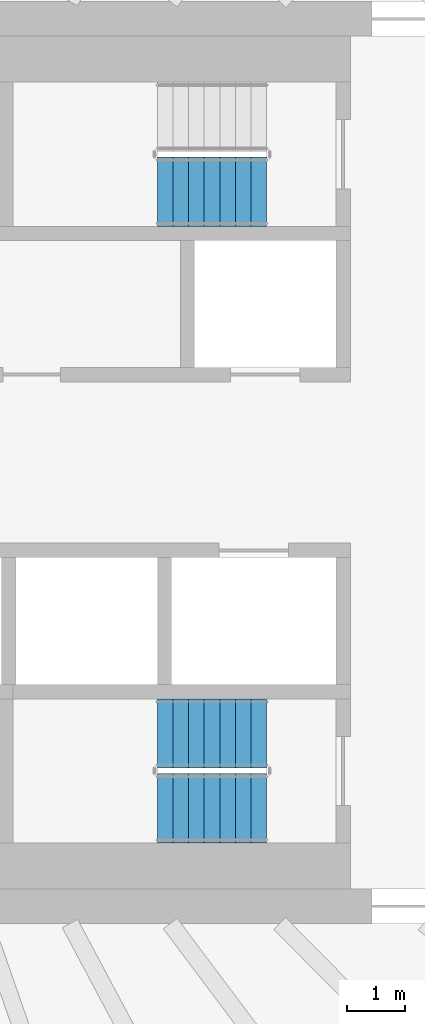
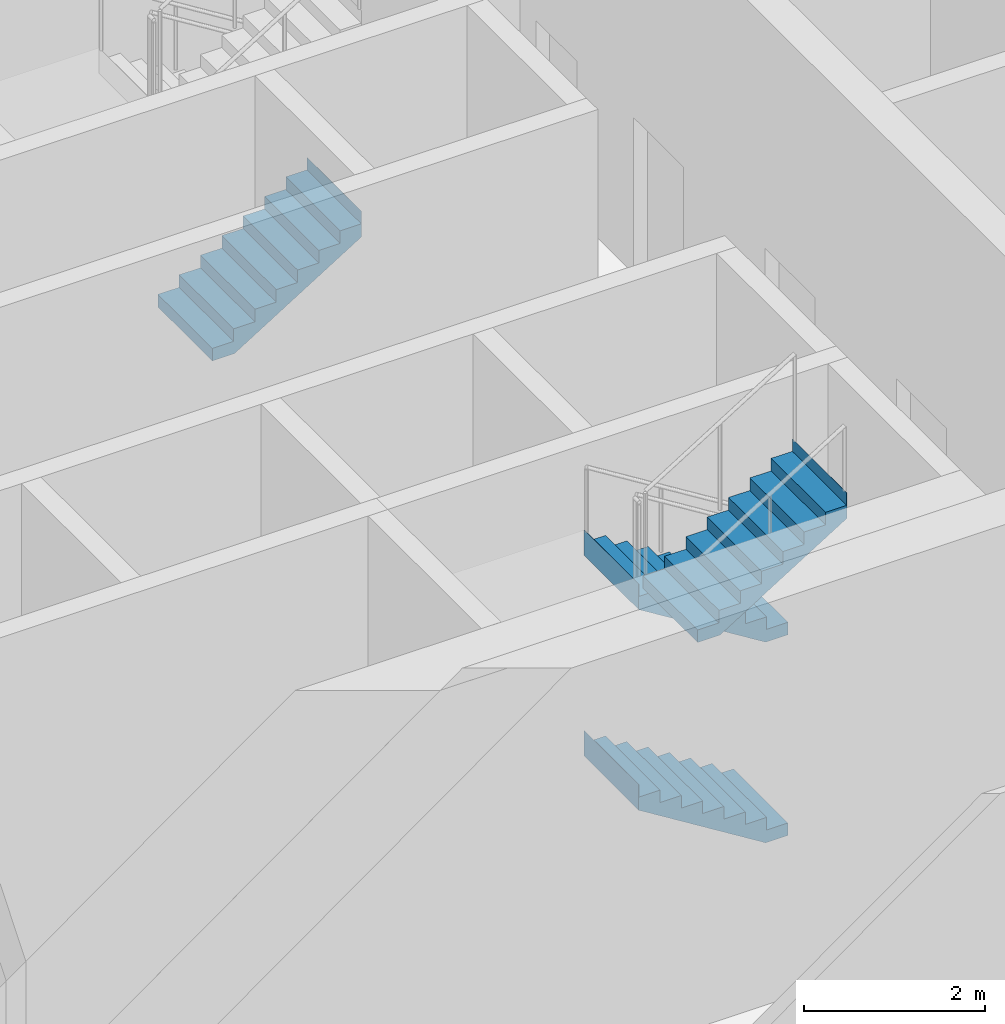
# One storey, part 34 of 42: 4 stair flights, 2 elements without a shape of their own.
"""IFC4 building model written with IfcOpenShell, lengths in metres."""

from ifc_helpers import new_model, si_unit, direction, frame, origin, place, context, subcontext, project, spatial, triangles, material, type_object, element, aggregate, save


model = new_model("IFC4")

# Units and contexts
model_context = context("Model", 3, precision=1e-05, world=origin(), true_north=direction((0.0, 1.0)))
body_context = subcontext(model_context, "Body", "Model", "MODEL_VIEW")
ifc_project = project(units=[si_unit("LENGTHUNIT", "METRE"), si_unit("AREAUNIT", "SQUARE_METRE"), si_unit("VOLUMEUNIT", "CUBIC_METRE"), si_unit("PLANEANGLEUNIT", "RADIAN"), si_unit("MASSUNIT", "GRAM", prefix="KILO")], contexts=[model_context])

# Site, building, storey
site_placement = place(None, origin())
site = spatial("IfcSite", under=ifc_project, at=site_placement, CompositionType="ELEMENT")
building_placement = place(site_placement, origin())
building = spatial("IfcBuilding", under=site, at=building_placement, Name="Sahrelin Media Tower", CompositionType="ELEMENT")
storey_placement = place(building_placement, frame((0.0, 0.0, 26.0)))
storey = spatial("IfcBuildingStorey", under=building, at=storey_placement, Name="L03", CompositionType="ELEMENT", Elevation=26.0)

# Stair, stair flight
ifc_material = material(Name="Concrete C40/50", Category="concrete")
stair_type = type_object("IfcStairType", Name="Exit stair 1200", PredefinedType="HALF_TURN_STAIR", material=ifc_material)
placement = place(storey_placement, origin())
stair_1 = element("IfcStair", 1, at=placement, inside=storey, type_object=stair_type, Name="L03 Exit stair ST3", PredefinedType="HALF_TURN_STAIR")
stair_flight_type = type_object("IfcStairFlightType", Name="Stair flight 1200", PredefinedType="STRAIGHT", material=ifc_material)
stair_flight_1_placement = place(storey_placement, frame((5.77490234375, 4.699951171875, 1.35009765625), z_axis=(0.0, 0.0, 1.0), x_axis=(1.0, 0.0, 0.0)))
stair_flight_1 = element("IfcStairFlight", 2, at=stair_flight_1_placement, type_object=stair_flight_type, Name="ST3 flight 2", NumberOfRisers=8, NumberOfTreads=7, PredefinedType="STRAIGHT", RiserHeight=0.16875, TreadLength=0.271428571, context=body_context, shape_type="Tessellation", body=[
    triangles([(0.283935546875, 0.60009765625, 0.0), (0.283935546875, 0.300048828125, 0.0), (0.283935546875, 0.0, 0.0), (0.283935546875, -0.300048828125, 0.0), (0.283935546875, -0.60009765625, 0.0), (1.89990234375, 0.60009765625, 1.004638671875), (1.89990234375, 0.300048828125, 1.004638671875), (1.89990234375, 0.0, 1.004638671875), (1.89990234375, -0.300048828125, 1.004638671875), (1.89990234375, -0.60009765625, 1.004638671875), (1.89990234375, 0.60009765625, 1.35009765625), (1.89990234375, 0.300048828125, 1.35009765625), (1.89990234375, 0.0, 1.35009765625), (1.89990234375, -0.300048828125, 1.35009765625), (1.89990234375, -0.60009765625, 1.35009765625), (1.89794921875, 0.60009765625, 1.35009765625), (1.89794921875, 0.300048828125, 1.35009765625), (1.89794921875, 0.0, 1.35009765625), (1.89794921875, -0.300048828125, 1.35009765625), (1.89794921875, -0.60009765625, 1.35009765625), (1.89794921875, 0.60009765625, 1.18115234375), (1.89794921875, 0.300048828125, 1.18115234375), (1.89794921875, 0.0, 1.18115234375), (1.89794921875, -0.300048828125, 1.18115234375), (1.89794921875, -0.60009765625, 1.18115234375), (1.628662109375, 0.60009765625, 1.18115234375), (1.628662109375, 0.300048828125, 1.18115234375), (1.628662109375, 0.0, 1.18115234375), (1.628662109375, -0.300048828125, 1.18115234375), (1.628662109375, -0.60009765625, 1.18115234375), (1.628662109375, 0.60009765625, 1.012451171875), (1.628662109375, 0.300048828125, 1.012451171875), (1.628662109375, 0.0, 1.012451171875), (1.628662109375, -0.300048828125, 1.012451171875), (1.628662109375, -0.60009765625, 1.012451171875), (1.357177734375, 0.60009765625, 1.012451171875), (1.357177734375, 0.300048828125, 1.012451171875), (1.357177734375, 0.0, 1.012451171875), (1.357177734375, -0.300048828125, 1.012451171875), (1.357177734375, -0.60009765625, 1.012451171875), (1.357177734375, 0.60009765625, 0.84375), (1.357177734375, 0.300048828125, 0.84375), (1.357177734375, 0.0, 0.84375), (1.357177734375, -0.300048828125, 0.84375), (1.357177734375, -0.60009765625, 0.84375), (1.085693359375, 0.60009765625, 0.84375), (1.085693359375, 0.300048828125, 0.84375), (1.085693359375, 0.0, 0.84375), (1.085693359375, -0.300048828125, 0.84375), (1.085693359375, -0.60009765625, 0.84375), (1.085693359375, 0.60009765625, 0.675048828125), (1.085693359375, 0.300048828125, 0.675048828125), (1.085693359375, 0.0, 0.675048828125), (1.085693359375, -0.300048828125, 0.675048828125), (1.085693359375, -0.60009765625, 0.675048828125), (0.814208984375, 0.60009765625, 0.675048828125), (0.814208984375, 0.300048828125, 0.675048828125), (0.814208984375, 0.0, 0.675048828125), (0.814208984375, -0.300048828125, 0.675048828125), (0.814208984375, -0.60009765625, 0.675048828125), (0.814208984375, 0.60009765625, 0.50634765625), (0.814208984375, 0.300048828125, 0.50634765625), (0.814208984375, 0.0, 0.50634765625), (0.814208984375, -0.300048828125, 0.50634765625), (0.814208984375, -0.60009765625, 0.50634765625), (0.54296875, 0.60009765625, 0.50634765625), (0.54296875, 0.300048828125, 0.50634765625), (0.54296875, 0.0, 0.50634765625), (0.54296875, -0.300048828125, 0.50634765625), (0.54296875, -0.60009765625, 0.50634765625), (0.54296875, 0.60009765625, 0.33740234375), (0.54296875, 0.300048828125, 0.33740234375), (0.54296875, 0.0, 0.33740234375), (0.54296875, -0.300048828125, 0.33740234375), (0.54296875, -0.60009765625, 0.33740234375), (0.271484375, 0.60009765625, 0.33740234375), (0.271484375, 0.300048828125, 0.33740234375), (0.271484375, 0.0, 0.33740234375), (0.271484375, -0.300048828125, 0.33740234375), (0.271484375, -0.60009765625, 0.33740234375), (0.271484375, 0.60009765625, 0.168701171875), (0.271484375, 0.300048828125, 0.168701171875), (0.271484375, 0.0, 0.168701171875), (0.271484375, -0.300048828125, 0.168701171875), (0.271484375, -0.60009765625, 0.168701171875), (0.0, 0.60009765625, 0.168701171875), (0.0, 0.300048828125, 0.168701171875), (0.0, 0.0, 0.168701171875), (0.0, -0.300048828125, 0.168701171875), (0.0, -0.60009765625, 0.168701171875), (0.0, 0.60009765625, 0.0), (0.0, 0.300048828125, 0.0), (0.0, 0.0, 0.0), (0.0, -0.300048828125, 0.0), (0.0, -0.60009765625, 0.0)], [[1, 6, 7], [1, 7, 2], [2, 7, 8], [2, 8, 3], [3, 8, 9], [3, 9, 4], [4, 9, 10], [4, 10, 5], [6, 11, 12], [6, 12, 7], [7, 12, 13], [7, 13, 8], [8, 13, 14], [8, 14, 9], [9, 14, 15], [9, 15, 10], [11, 16, 17], [11, 17, 12], [12, 17, 18], [12, 18, 13], [13, 18, 19], [13, 19, 14], [14, 19, 20], [14, 20, 15], [16, 21, 22], [16, 22, 17], [17, 22, 23], [17, 23, 18], [18, 23, 24], [18, 24, 19], [19, 24, 25], [19, 25, 20], [21, 26, 27], [21, 27, 22], [22, 27, 28], [22, 28, 23], [23, 28, 29], [23, 29, 24], [24, 29, 30], [24, 30, 25], [26, 31, 32], [26, 32, 27], [27, 32, 33], [27, 33, 28], [28, 33, 34], [28, 34, 29], [29, 34, 35], [29, 35, 30], [31, 36, 37], [31, 37, 32], [32, 37, 38], [32, 38, 33], [33, 38, 39], [33, 39, 34], [34, 39, 40], [34, 40, 35], [36, 41, 42], [36, 42, 37], [37, 42, 43], [37, 43, 38], [38, 43, 44], [38, 44, 39], [39, 44, 45], [39, 45, 40], [41, 46, 47], [41, 47, 42], [42, 47, 48], [42, 48, 43], [43, 48, 49], [43, 49, 44], [44, 49, 50], [44, 50, 45], [46, 51, 52], [46, 52, 47], [47, 52, 53], [47, 53, 48], [48, 53, 54], [48, 54, 49], [49, 54, 55], [49, 55, 50], [51, 56, 57], [51, 57, 52], [52, 57, 58], [52, 58, 53], [53, 58, 59], [53, 59, 54], [54, 59, 60], [54, 60, 55], [56, 61, 62], [56, 62, 57], [57, 62, 63], [57, 63, 58], [58, 63, 64], [58, 64, 59], [59, 64, 65], [59, 65, 60], [61, 66, 67], [61, 67, 62], [62, 67, 68], [62, 68, 63], [63, 68, 69], [63, 69, 64], [64, 69, 70], [64, 70, 65], [66, 71, 72], [66, 72, 67], [67, 72, 73], [67, 73, 68], [68, 73, 74], [68, 74, 69], [69, 74, 75], [69, 75, 70], [71, 76, 77], [71, 77, 72], [72, 77, 78], [72, 78, 73], [73, 78, 79], [73, 79, 74], [74, 79, 80], [74, 80, 75], [76, 81, 82], [76, 82, 77], [77, 82, 83], [77, 83, 78], [78, 83, 84], [78, 84, 79], [79, 84, 85], [79, 85, 80], [81, 86, 87], [81, 87, 82], [82, 87, 88], [82, 88, 83], [83, 88, 89], [83, 89, 84], [84, 89, 90], [84, 90, 85], [86, 91, 92], [86, 92, 87], [87, 92, 93], [87, 93, 88], [88, 93, 94], [88, 94, 89], [89, 94, 95], [89, 95, 90], [91, 1, 2], [91, 2, 92], [92, 2, 3], [92, 3, 93], [93, 3, 4], [93, 4, 94], [94, 4, 5], [94, 5, 95], [85, 90, 95], [81, 91, 86], [85, 75, 80], [81, 76, 71], [75, 65, 70], [71, 66, 61], [65, 55, 60], [61, 56, 51], [55, 45, 50], [51, 46, 41], [45, 35, 40], [41, 36, 31], [35, 25, 30], [31, 26, 21], [25, 15, 20], [21, 16, 11], [95, 5, 85], [91, 81, 1], [5, 55, 65], [1, 61, 51], [25, 10, 15], [21, 11, 6], [75, 85, 5], [71, 1, 81], [10, 45, 55], [6, 51, 41], [35, 10, 25], [31, 21, 6], [65, 75, 5], [61, 1, 71], [45, 10, 35], [41, 31, 6], [5, 10, 55], [1, 51, 6]], closed=True),
])
aggregate(stair_1, [stair_flight_1])

# Stair, stair flights
stair_2 = element("IfcStair", 3, at=placement, inside=storey, type_object=stair_type, Name="L03 Exit stair ST2", PredefinedType="HALF_TURN_STAIR")
stair_flight_2_placement = place(storey_placement, frame((7.675048828125, -4.699951171875, 0.0), z_axis=(0.0, 0.0, 1.0), x_axis=(-1.0, 0.0, 0.0)))
stair_flight_2 = element("IfcStairFlight", 4, at=stair_flight_2_placement, type_object=stair_flight_type, Name="ST2 flight 1", NumberOfRisers=8, NumberOfTreads=7, PredefinedType="STRAIGHT", RiserHeight=0.16875, TreadLength=0.271428571, context=body_context, shape_type="Tessellation", body=[
    triangles([(0.283935546875, 0.60009765625, 0.0), (0.283935546875, 0.300048828125, 0.0), (0.283935546875, 0.0, 0.0), (0.283935546875, -0.300048828125, 0.0), (0.283935546875, -0.60009765625, 0.0), (1.89990234375, 0.60009765625, 1.004638671875), (1.89990234375, 0.300048828125, 1.004638671875), (1.89990234375, 0.0, 1.004638671875), (1.89990234375, -0.300048828125, 1.004638671875), (1.89990234375, -0.60009765625, 1.004638671875), (1.89990234375, 0.60009765625, 1.35009765625), (1.89990234375, 0.300048828125, 1.35009765625), (1.89990234375, 0.0, 1.35009765625), (1.89990234375, -0.300048828125, 1.35009765625), (1.89990234375, -0.60009765625, 1.35009765625), (1.89794921875, 0.60009765625, 1.35009765625), (1.89794921875, 0.300048828125, 1.35009765625), (1.89794921875, 0.0, 1.35009765625), (1.89794921875, -0.300048828125, 1.35009765625), (1.89794921875, -0.60009765625, 1.35009765625), (1.89794921875, 0.60009765625, 1.18115234375), (1.89794921875, 0.300048828125, 1.18115234375), (1.89794921875, 0.0, 1.18115234375), (1.89794921875, -0.300048828125, 1.18115234375), (1.89794921875, -0.60009765625, 1.18115234375), (1.628662109375, 0.60009765625, 1.18115234375), (1.628662109375, 0.300048828125, 1.18115234375), (1.628662109375, 0.0, 1.18115234375), (1.628662109375, -0.300048828125, 1.18115234375), (1.628662109375, -0.60009765625, 1.18115234375), (1.628662109375, 0.60009765625, 1.012451171875), (1.628662109375, 0.300048828125, 1.012451171875), (1.628662109375, 0.0, 1.012451171875), (1.628662109375, -0.300048828125, 1.012451171875), (1.628662109375, -0.60009765625, 1.012451171875), (1.357177734375, 0.60009765625, 1.012451171875), (1.357177734375, 0.300048828125, 1.012451171875), (1.357177734375, 0.0, 1.012451171875), (1.357177734375, -0.300048828125, 1.012451171875), (1.357177734375, -0.60009765625, 1.012451171875), (1.357177734375, 0.60009765625, 0.84375), (1.357177734375, 0.300048828125, 0.84375), (1.357177734375, 0.0, 0.84375), (1.357177734375, -0.300048828125, 0.84375), (1.357177734375, -0.60009765625, 0.84375), (1.085693359375, 0.60009765625, 0.84375), (1.085693359375, 0.300048828125, 0.84375), (1.085693359375, 0.0, 0.84375), (1.085693359375, -0.300048828125, 0.84375), (1.085693359375, -0.60009765625, 0.84375), (1.085693359375, 0.60009765625, 0.675048828125), (1.085693359375, 0.300048828125, 0.675048828125), (1.085693359375, 0.0, 0.675048828125), (1.085693359375, -0.300048828125, 0.675048828125), (1.085693359375, -0.60009765625, 0.675048828125), (0.814208984375, 0.60009765625, 0.675048828125), (0.814208984375, 0.300048828125, 0.675048828125), (0.814208984375, 0.0, 0.675048828125), (0.814208984375, -0.300048828125, 0.675048828125), (0.814208984375, -0.60009765625, 0.675048828125), (0.814208984375, 0.60009765625, 0.50634765625), (0.814208984375, 0.300048828125, 0.50634765625), (0.814208984375, 0.0, 0.50634765625), (0.814208984375, -0.300048828125, 0.50634765625), (0.814208984375, -0.60009765625, 0.50634765625), (0.54296875, 0.60009765625, 0.50634765625), (0.54296875, 0.300048828125, 0.50634765625), (0.54296875, 0.0, 0.50634765625), (0.54296875, -0.300048828125, 0.50634765625), (0.54296875, -0.60009765625, 0.50634765625), (0.54296875, 0.60009765625, 0.33740234375), (0.54296875, 0.300048828125, 0.33740234375), (0.54296875, 0.0, 0.33740234375), (0.54296875, -0.300048828125, 0.33740234375), (0.54296875, -0.60009765625, 0.33740234375), (0.271484375, 0.60009765625, 0.33740234375), (0.271484375, 0.300048828125, 0.33740234375), (0.271484375, 0.0, 0.33740234375), (0.271484375, -0.300048828125, 0.33740234375), (0.271484375, -0.60009765625, 0.33740234375), (0.271484375, 0.60009765625, 0.168701171875), (0.271484375, 0.300048828125, 0.168701171875), (0.271484375, 0.0, 0.168701171875), (0.271484375, -0.300048828125, 0.168701171875), (0.271484375, -0.60009765625, 0.168701171875), (0.0, 0.60009765625, 0.168701171875), (0.0, 0.300048828125, 0.168701171875), (0.0, 0.0, 0.168701171875), (0.0, -0.300048828125, 0.168701171875), (0.0, -0.60009765625, 0.168701171875), (0.0, 0.60009765625, 0.0), (0.0, 0.300048828125, 0.0), (0.0, 0.0, 0.0), (0.0, -0.300048828125, 0.0), (0.0, -0.60009765625, 0.0)], [[1, 6, 7], [1, 7, 2], [2, 7, 8], [2, 8, 3], [3, 8, 9], [3, 9, 4], [4, 9, 10], [4, 10, 5], [6, 11, 12], [6, 12, 7], [7, 12, 13], [7, 13, 8], [8, 13, 14], [8, 14, 9], [9, 14, 15], [9, 15, 10], [11, 16, 17], [11, 17, 12], [12, 17, 18], [12, 18, 13], [13, 18, 19], [13, 19, 14], [14, 19, 20], [14, 20, 15], [16, 21, 22], [16, 22, 17], [17, 22, 23], [17, 23, 18], [18, 23, 24], [18, 24, 19], [19, 24, 25], [19, 25, 20], [21, 26, 27], [21, 27, 22], [22, 27, 28], [22, 28, 23], [23, 28, 29], [23, 29, 24], [24, 29, 30], [24, 30, 25], [26, 31, 32], [26, 32, 27], [27, 32, 33], [27, 33, 28], [28, 33, 34], [28, 34, 29], [29, 34, 35], [29, 35, 30], [31, 36, 37], [31, 37, 32], [32, 37, 38], [32, 38, 33], [33, 38, 39], [33, 39, 34], [34, 39, 40], [34, 40, 35], [36, 41, 42], [36, 42, 37], [37, 42, 43], [37, 43, 38], [38, 43, 44], [38, 44, 39], [39, 44, 45], [39, 45, 40], [41, 46, 47], [41, 47, 42], [42, 47, 48], [42, 48, 43], [43, 48, 49], [43, 49, 44], [44, 49, 50], [44, 50, 45], [46, 51, 52], [46, 52, 47], [47, 52, 53], [47, 53, 48], [48, 53, 54], [48, 54, 49], [49, 54, 55], [49, 55, 50], [51, 56, 57], [51, 57, 52], [52, 57, 58], [52, 58, 53], [53, 58, 59], [53, 59, 54], [54, 59, 60], [54, 60, 55], [56, 61, 62], [56, 62, 57], [57, 62, 63], [57, 63, 58], [58, 63, 64], [58, 64, 59], [59, 64, 65], [59, 65, 60], [61, 66, 67], [61, 67, 62], [62, 67, 68], [62, 68, 63], [63, 68, 69], [63, 69, 64], [64, 69, 70], [64, 70, 65], [66, 71, 72], [66, 72, 67], [67, 72, 73], [67, 73, 68], [68, 73, 74], [68, 74, 69], [69, 74, 75], [69, 75, 70], [71, 76, 77], [71, 77, 72], [72, 77, 78], [72, 78, 73], [73, 78, 79], [73, 79, 74], [74, 79, 80], [74, 80, 75], [76, 81, 82], [76, 82, 77], [77, 82, 83], [77, 83, 78], [78, 83, 84], [78, 84, 79], [79, 84, 85], [79, 85, 80], [81, 86, 87], [81, 87, 82], [82, 87, 88], [82, 88, 83], [83, 88, 89], [83, 89, 84], [84, 89, 90], [84, 90, 85], [86, 91, 92], [86, 92, 87], [87, 92, 93], [87, 93, 88], [88, 93, 94], [88, 94, 89], [89, 94, 95], [89, 95, 90], [91, 1, 2], [91, 2, 92], [92, 2, 3], [92, 3, 93], [93, 3, 4], [93, 4, 94], [94, 4, 5], [94, 5, 95], [85, 90, 95], [81, 91, 86], [85, 75, 80], [81, 76, 71], [75, 65, 70], [71, 66, 61], [65, 55, 60], [61, 56, 51], [55, 45, 50], [51, 46, 41], [45, 35, 40], [41, 36, 31], [35, 25, 30], [31, 26, 21], [25, 15, 20], [21, 16, 11], [95, 5, 85], [91, 81, 1], [5, 55, 65], [1, 61, 51], [25, 10, 15], [21, 11, 6], [75, 85, 5], [71, 1, 81], [10, 45, 55], [6, 51, 41], [35, 10, 25], [31, 21, 6], [65, 75, 5], [61, 1, 71], [45, 10, 35], [41, 31, 6], [5, 10, 55], [1, 51, 6]], closed=True),
])
stair_flight_3_placement = place(storey_placement, frame((7.675048828125, -4.699951171875, 2.699951171875), z_axis=(0.0, 0.0, 1.0), x_axis=(-1.0, 0.0, 0.0)))
stair_flight_3 = element("IfcStairFlight", 5, at=stair_flight_3_placement, type_object=stair_flight_type, Name="ST2 flight 3", NumberOfRisers=8, NumberOfTreads=7, PredefinedType="STRAIGHT", RiserHeight=0.16875, TreadLength=0.271428571, context=body_context, shape_type="Tessellation", body=[
    triangles([(0.283935546875, 0.60009765625, 0.0), (0.283935546875, 0.300048828125, 0.0), (0.283935546875, 0.0, 0.0), (0.283935546875, -0.300048828125, 0.0), (0.283935546875, -0.60009765625, 0.0), (1.89990234375, 0.60009765625, 1.004638671875), (1.89990234375, 0.300048828125, 1.004638671875), (1.89990234375, 0.0, 1.004638671875), (1.89990234375, -0.300048828125, 1.004638671875), (1.89990234375, -0.60009765625, 1.004638671875), (1.89990234375, 0.60009765625, 1.35009765625), (1.89990234375, 0.300048828125, 1.35009765625), (1.89990234375, 0.0, 1.35009765625), (1.89990234375, -0.300048828125, 1.35009765625), (1.89990234375, -0.60009765625, 1.35009765625), (1.89794921875, 0.60009765625, 1.35009765625), (1.89794921875, 0.300048828125, 1.35009765625), (1.89794921875, 0.0, 1.35009765625), (1.89794921875, -0.300048828125, 1.35009765625), (1.89794921875, -0.60009765625, 1.35009765625), (1.89794921875, 0.60009765625, 1.18115234375), (1.89794921875, 0.300048828125, 1.18115234375), (1.89794921875, 0.0, 1.18115234375), (1.89794921875, -0.300048828125, 1.18115234375), (1.89794921875, -0.60009765625, 1.18115234375), (1.628662109375, 0.60009765625, 1.18115234375), (1.628662109375, 0.300048828125, 1.18115234375), (1.628662109375, 0.0, 1.18115234375), (1.628662109375, -0.300048828125, 1.18115234375), (1.628662109375, -0.60009765625, 1.18115234375), (1.628662109375, 0.60009765625, 1.012451171875), (1.628662109375, 0.300048828125, 1.012451171875), (1.628662109375, 0.0, 1.012451171875), (1.628662109375, -0.300048828125, 1.012451171875), (1.628662109375, -0.60009765625, 1.012451171875), (1.357177734375, 0.60009765625, 1.012451171875), (1.357177734375, 0.300048828125, 1.012451171875), (1.357177734375, 0.0, 1.012451171875), (1.357177734375, -0.300048828125, 1.012451171875), (1.357177734375, -0.60009765625, 1.012451171875), (1.357177734375, 0.60009765625, 0.84375), (1.357177734375, 0.300048828125, 0.84375), (1.357177734375, 0.0, 0.84375), (1.357177734375, -0.300048828125, 0.84375), (1.357177734375, -0.60009765625, 0.84375), (1.085693359375, 0.60009765625, 0.84375), (1.085693359375, 0.300048828125, 0.84375), (1.085693359375, 0.0, 0.84375), (1.085693359375, -0.300048828125, 0.84375), (1.085693359375, -0.60009765625, 0.84375), (1.085693359375, 0.60009765625, 0.675048828125), (1.085693359375, 0.300048828125, 0.675048828125), (1.085693359375, 0.0, 0.675048828125), (1.085693359375, -0.300048828125, 0.675048828125), (1.085693359375, -0.60009765625, 0.675048828125), (0.814208984375, 0.60009765625, 0.675048828125), (0.814208984375, 0.300048828125, 0.675048828125), (0.814208984375, 0.0, 0.675048828125), (0.814208984375, -0.300048828125, 0.675048828125), (0.814208984375, -0.60009765625, 0.675048828125), (0.814208984375, 0.60009765625, 0.50634765625), (0.814208984375, 0.300048828125, 0.50634765625), (0.814208984375, 0.0, 0.50634765625), (0.814208984375, -0.300048828125, 0.50634765625), (0.814208984375, -0.60009765625, 0.50634765625), (0.54296875, 0.60009765625, 0.50634765625), (0.54296875, 0.300048828125, 0.50634765625), (0.54296875, 0.0, 0.50634765625), (0.54296875, -0.300048828125, 0.50634765625), (0.54296875, -0.60009765625, 0.50634765625), (0.54296875, 0.60009765625, 0.33740234375), (0.54296875, 0.300048828125, 0.33740234375), (0.54296875, 0.0, 0.33740234375), (0.54296875, -0.300048828125, 0.33740234375), (0.54296875, -0.60009765625, 0.33740234375), (0.271484375, 0.60009765625, 0.33740234375), (0.271484375, 0.300048828125, 0.33740234375), (0.271484375, 0.0, 0.33740234375), (0.271484375, -0.300048828125, 0.33740234375), (0.271484375, -0.60009765625, 0.33740234375), (0.271484375, 0.60009765625, 0.168701171875), (0.271484375, 0.300048828125, 0.168701171875), (0.271484375, 0.0, 0.168701171875), (0.271484375, -0.300048828125, 0.168701171875), (0.271484375, -0.60009765625, 0.168701171875), (0.0, 0.60009765625, 0.168701171875), (0.0, 0.300048828125, 0.168701171875), (0.0, 0.0, 0.168701171875), (0.0, -0.300048828125, 0.168701171875), (0.0, -0.60009765625, 0.168701171875), (0.0, 0.60009765625, 0.0), (0.0, 0.300048828125, 0.0), (0.0, 0.0, 0.0), (0.0, -0.300048828125, 0.0), (0.0, -0.60009765625, 0.0)], [[1, 6, 7], [1, 7, 2], [2, 7, 8], [2, 8, 3], [3, 8, 9], [3, 9, 4], [4, 9, 10], [4, 10, 5], [6, 11, 12], [6, 12, 7], [7, 12, 13], [7, 13, 8], [8, 13, 14], [8, 14, 9], [9, 14, 15], [9, 15, 10], [11, 16, 17], [11, 17, 12], [12, 17, 18], [12, 18, 13], [13, 18, 19], [13, 19, 14], [14, 19, 20], [14, 20, 15], [16, 21, 22], [16, 22, 17], [17, 22, 23], [17, 23, 18], [18, 23, 24], [18, 24, 19], [19, 24, 25], [19, 25, 20], [21, 26, 27], [21, 27, 22], [22, 27, 28], [22, 28, 23], [23, 28, 29], [23, 29, 24], [24, 29, 30], [24, 30, 25], [26, 31, 32], [26, 32, 27], [27, 32, 33], [27, 33, 28], [28, 33, 34], [28, 34, 29], [29, 34, 35], [29, 35, 30], [31, 36, 37], [31, 37, 32], [32, 37, 38], [32, 38, 33], [33, 38, 39], [33, 39, 34], [34, 39, 40], [34, 40, 35], [36, 41, 42], [36, 42, 37], [37, 42, 43], [37, 43, 38], [38, 43, 44], [38, 44, 39], [39, 44, 45], [39, 45, 40], [41, 46, 47], [41, 47, 42], [42, 47, 48], [42, 48, 43], [43, 48, 49], [43, 49, 44], [44, 49, 50], [44, 50, 45], [46, 51, 52], [46, 52, 47], [47, 52, 53], [47, 53, 48], [48, 53, 54], [48, 54, 49], [49, 54, 55], [49, 55, 50], [51, 56, 57], [51, 57, 52], [52, 57, 58], [52, 58, 53], [53, 58, 59], [53, 59, 54], [54, 59, 60], [54, 60, 55], [56, 61, 62], [56, 62, 57], [57, 62, 63], [57, 63, 58], [58, 63, 64], [58, 64, 59], [59, 64, 65], [59, 65, 60], [61, 66, 67], [61, 67, 62], [62, 67, 68], [62, 68, 63], [63, 68, 69], [63, 69, 64], [64, 69, 70], [64, 70, 65], [66, 71, 72], [66, 72, 67], [67, 72, 73], [67, 73, 68], [68, 73, 74], [68, 74, 69], [69, 74, 75], [69, 75, 70], [71, 76, 77], [71, 77, 72], [72, 77, 78], [72, 78, 73], [73, 78, 79], [73, 79, 74], [74, 79, 80], [74, 80, 75], [76, 81, 82], [76, 82, 77], [77, 82, 83], [77, 83, 78], [78, 83, 84], [78, 84, 79], [79, 84, 85], [79, 85, 80], [81, 86, 87], [81, 87, 82], [82, 87, 88], [82, 88, 83], [83, 88, 89], [83, 89, 84], [84, 89, 90], [84, 90, 85], [86, 91, 92], [86, 92, 87], [87, 92, 93], [87, 93, 88], [88, 93, 94], [88, 94, 89], [89, 94, 95], [89, 95, 90], [91, 1, 2], [91, 2, 92], [92, 2, 3], [92, 3, 93], [93, 3, 4], [93, 4, 94], [94, 4, 5], [94, 5, 95], [85, 90, 95], [81, 91, 86], [85, 75, 80], [81, 76, 71], [75, 65, 70], [71, 66, 61], [65, 55, 60], [61, 56, 51], [55, 45, 50], [51, 46, 41], [45, 35, 40], [41, 36, 31], [35, 25, 30], [31, 26, 21], [25, 15, 20], [21, 16, 11], [95, 5, 85], [91, 81, 1], [5, 55, 65], [1, 61, 51], [25, 10, 15], [21, 11, 6], [75, 85, 5], [71, 1, 81], [10, 45, 55], [6, 51, 41], [35, 10, 25], [31, 21, 6], [65, 75, 5], [61, 1, 71], [45, 10, 35], [41, 31, 6], [5, 10, 55], [1, 51, 6]], closed=True),
])
stair_flight_4_placement = place(storey_placement, frame((5.77490234375, -6.0, 4.050048828125), z_axis=(0.0, 0.0, 1.0), x_axis=(1.0, 0.0, 0.0)))
stair_flight_4 = element("IfcStairFlight", 6, at=stair_flight_4_placement, type_object=stair_flight_type, Name="ST2 flight 4", NumberOfRisers=8, NumberOfTreads=7, PredefinedType="STRAIGHT", RiserHeight=0.16875, TreadLength=0.271428571, context=body_context, shape_type="Tessellation", body=[
    triangles([(0.283935546875, 0.60009765625, 0.0), (0.283935546875, 0.300048828125, 0.0), (0.283935546875, 0.0, 0.0), (0.283935546875, -0.300048828125, 0.0), (0.283935546875, -0.60009765625, 0.0), (1.89990234375, 0.60009765625, 1.004638671875), (1.89990234375, 0.300048828125, 1.004638671875), (1.89990234375, 0.0, 1.004638671875), (1.89990234375, -0.300048828125, 1.004638671875), (1.89990234375, -0.60009765625, 1.004638671875), (1.89990234375, 0.60009765625, 1.35009765625), (1.89990234375, 0.300048828125, 1.35009765625), (1.89990234375, 0.0, 1.35009765625), (1.89990234375, -0.300048828125, 1.35009765625), (1.89990234375, -0.60009765625, 1.35009765625), (1.89794921875, 0.60009765625, 1.35009765625), (1.89794921875, 0.300048828125, 1.35009765625), (1.89794921875, 0.0, 1.35009765625), (1.89794921875, -0.300048828125, 1.35009765625), (1.89794921875, -0.60009765625, 1.35009765625), (1.89794921875, 0.60009765625, 1.18115234375), (1.89794921875, 0.300048828125, 1.18115234375), (1.89794921875, 0.0, 1.18115234375), (1.89794921875, -0.300048828125, 1.18115234375), (1.89794921875, -0.60009765625, 1.18115234375), (1.628662109375, 0.60009765625, 1.18115234375), (1.628662109375, 0.300048828125, 1.18115234375), (1.628662109375, 0.0, 1.18115234375), (1.628662109375, -0.300048828125, 1.18115234375), (1.628662109375, -0.60009765625, 1.18115234375), (1.628662109375, 0.60009765625, 1.012451171875), (1.628662109375, 0.300048828125, 1.012451171875), (1.628662109375, 0.0, 1.012451171875), (1.628662109375, -0.300048828125, 1.012451171875), (1.628662109375, -0.60009765625, 1.012451171875), (1.357177734375, 0.60009765625, 1.012451171875), (1.357177734375, 0.300048828125, 1.012451171875), (1.357177734375, 0.0, 1.012451171875), (1.357177734375, -0.300048828125, 1.012451171875), (1.357177734375, -0.60009765625, 1.012451171875), (1.357177734375, 0.60009765625, 0.84375), (1.357177734375, 0.300048828125, 0.84375), (1.357177734375, 0.0, 0.84375), (1.357177734375, -0.300048828125, 0.84375), (1.357177734375, -0.60009765625, 0.84375), (1.085693359375, 0.60009765625, 0.84375), (1.085693359375, 0.300048828125, 0.84375), (1.085693359375, 0.0, 0.84375), (1.085693359375, -0.300048828125, 0.84375), (1.085693359375, -0.60009765625, 0.84375), (1.085693359375, 0.60009765625, 0.675048828125), (1.085693359375, 0.300048828125, 0.675048828125), (1.085693359375, 0.0, 0.675048828125), (1.085693359375, -0.300048828125, 0.675048828125), (1.085693359375, -0.60009765625, 0.675048828125), (0.814208984375, 0.60009765625, 0.675048828125), (0.814208984375, 0.300048828125, 0.675048828125), (0.814208984375, 0.0, 0.675048828125), (0.814208984375, -0.300048828125, 0.675048828125), (0.814208984375, -0.60009765625, 0.675048828125), (0.814208984375, 0.60009765625, 0.50634765625), (0.814208984375, 0.300048828125, 0.50634765625), (0.814208984375, 0.0, 0.50634765625), (0.814208984375, -0.300048828125, 0.50634765625), (0.814208984375, -0.60009765625, 0.50634765625), (0.54296875, 0.60009765625, 0.50634765625), (0.54296875, 0.300048828125, 0.50634765625), (0.54296875, 0.0, 0.50634765625), (0.54296875, -0.300048828125, 0.50634765625), (0.54296875, -0.60009765625, 0.50634765625), (0.54296875, 0.60009765625, 0.33740234375), (0.54296875, 0.300048828125, 0.33740234375), (0.54296875, 0.0, 0.33740234375), (0.54296875, -0.300048828125, 0.33740234375), (0.54296875, -0.60009765625, 0.33740234375), (0.271484375, 0.60009765625, 0.33740234375), (0.271484375, 0.300048828125, 0.33740234375), (0.271484375, 0.0, 0.33740234375), (0.271484375, -0.300048828125, 0.33740234375), (0.271484375, -0.60009765625, 0.33740234375), (0.271484375, 0.60009765625, 0.168701171875), (0.271484375, 0.300048828125, 0.168701171875), (0.271484375, 0.0, 0.168701171875), (0.271484375, -0.300048828125, 0.168701171875), (0.271484375, -0.60009765625, 0.168701171875), (0.0, 0.60009765625, 0.168701171875), (0.0, 0.300048828125, 0.168701171875), (0.0, 0.0, 0.168701171875), (0.0, -0.300048828125, 0.168701171875), (0.0, -0.60009765625, 0.168701171875), (0.0, 0.60009765625, 0.0), (0.0, 0.300048828125, 0.0), (0.0, 0.0, 0.0), (0.0, -0.300048828125, 0.0), (0.0, -0.60009765625, 0.0)], [[1, 6, 7], [1, 7, 2], [2, 7, 8], [2, 8, 3], [3, 8, 9], [3, 9, 4], [4, 9, 10], [4, 10, 5], [6, 11, 12], [6, 12, 7], [7, 12, 13], [7, 13, 8], [8, 13, 14], [8, 14, 9], [9, 14, 15], [9, 15, 10], [11, 16, 17], [11, 17, 12], [12, 17, 18], [12, 18, 13], [13, 18, 19], [13, 19, 14], [14, 19, 20], [14, 20, 15], [16, 21, 22], [16, 22, 17], [17, 22, 23], [17, 23, 18], [18, 23, 24], [18, 24, 19], [19, 24, 25], [19, 25, 20], [21, 26, 27], [21, 27, 22], [22, 27, 28], [22, 28, 23], [23, 28, 29], [23, 29, 24], [24, 29, 30], [24, 30, 25], [26, 31, 32], [26, 32, 27], [27, 32, 33], [27, 33, 28], [28, 33, 34], [28, 34, 29], [29, 34, 35], [29, 35, 30], [31, 36, 37], [31, 37, 32], [32, 37, 38], [32, 38, 33], [33, 38, 39], [33, 39, 34], [34, 39, 40], [34, 40, 35], [36, 41, 42], [36, 42, 37], [37, 42, 43], [37, 43, 38], [38, 43, 44], [38, 44, 39], [39, 44, 45], [39, 45, 40], [41, 46, 47], [41, 47, 42], [42, 47, 48], [42, 48, 43], [43, 48, 49], [43, 49, 44], [44, 49, 50], [44, 50, 45], [46, 51, 52], [46, 52, 47], [47, 52, 53], [47, 53, 48], [48, 53, 54], [48, 54, 49], [49, 54, 55], [49, 55, 50], [51, 56, 57], [51, 57, 52], [52, 57, 58], [52, 58, 53], [53, 58, 59], [53, 59, 54], [54, 59, 60], [54, 60, 55], [56, 61, 62], [56, 62, 57], [57, 62, 63], [57, 63, 58], [58, 63, 64], [58, 64, 59], [59, 64, 65], [59, 65, 60], [61, 66, 67], [61, 67, 62], [62, 67, 68], [62, 68, 63], [63, 68, 69], [63, 69, 64], [64, 69, 70], [64, 70, 65], [66, 71, 72], [66, 72, 67], [67, 72, 73], [67, 73, 68], [68, 73, 74], [68, 74, 69], [69, 74, 75], [69, 75, 70], [71, 76, 77], [71, 77, 72], [72, 77, 78], [72, 78, 73], [73, 78, 79], [73, 79, 74], [74, 79, 80], [74, 80, 75], [76, 81, 82], [76, 82, 77], [77, 82, 83], [77, 83, 78], [78, 83, 84], [78, 84, 79], [79, 84, 85], [79, 85, 80], [81, 86, 87], [81, 87, 82], [82, 87, 88], [82, 88, 83], [83, 88, 89], [83, 89, 84], [84, 89, 90], [84, 90, 85], [86, 91, 92], [86, 92, 87], [87, 92, 93], [87, 93, 88], [88, 93, 94], [88, 94, 89], [89, 94, 95], [89, 95, 90], [91, 1, 2], [91, 2, 92], [92, 2, 3], [92, 3, 93], [93, 3, 4], [93, 4, 94], [94, 4, 5], [94, 5, 95], [85, 90, 95], [81, 91, 86], [85, 75, 80], [81, 76, 71], [75, 65, 70], [71, 66, 61], [65, 55, 60], [61, 56, 51], [55, 45, 50], [51, 46, 41], [45, 35, 40], [41, 36, 31], [35, 25, 30], [31, 26, 21], [25, 15, 20], [21, 16, 11], [95, 5, 85], [91, 81, 1], [5, 55, 65], [1, 61, 51], [25, 10, 15], [21, 11, 6], [75, 85, 5], [71, 1, 81], [10, 45, 55], [6, 51, 41], [35, 10, 25], [31, 21, 6], [65, 75, 5], [61, 1, 71], [45, 10, 35], [41, 31, 6], [5, 10, 55], [1, 51, 6]], closed=True),
])
aggregate(stair_2, [stair_flight_2, stair_flight_3, stair_flight_4])

save(model, "model.ifc")
